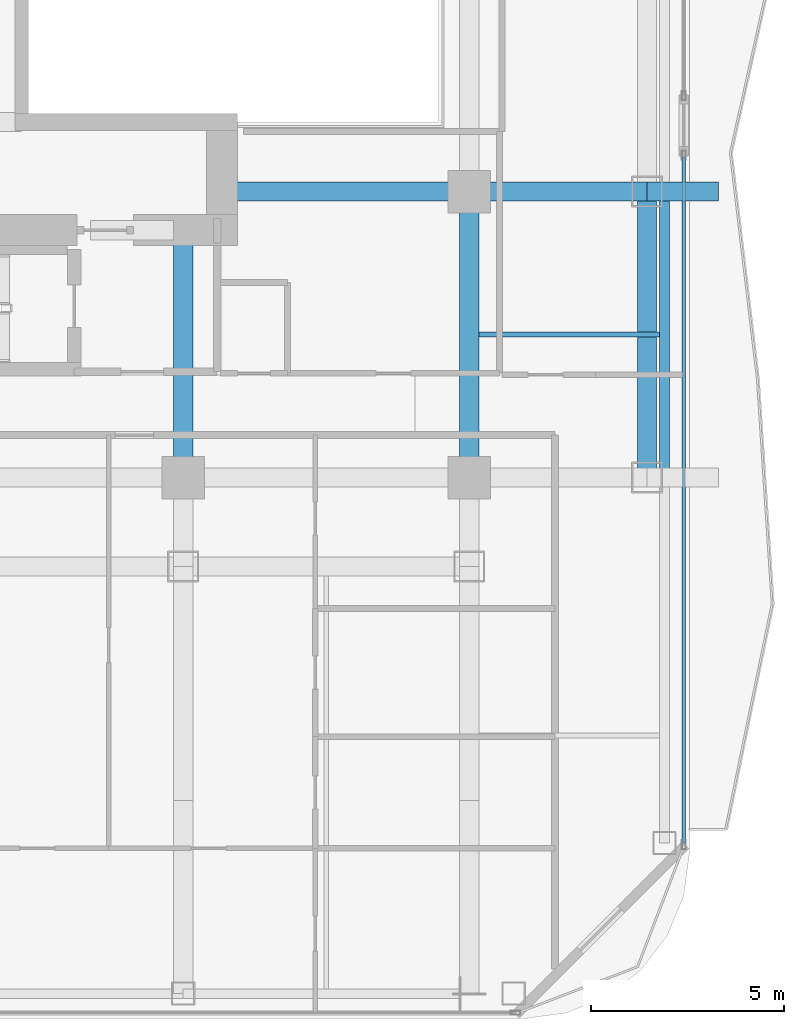
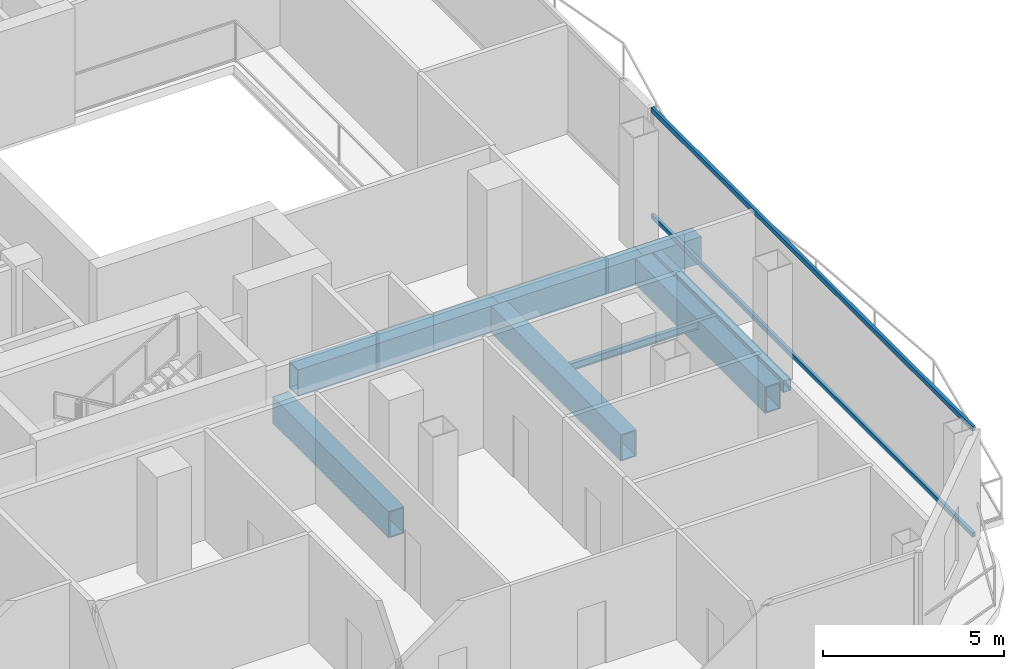
# One storey, part 8 of 24: 8 beams, 2 members, 1 element without a shape of its own.
"""IFC4 building model written with IfcOpenShell, lengths in metres."""

from ifc_helpers import new_model, si_unit, direction, frame, origin, origin_2d, place, context, subcontext, project, spatial, hollow_rectangle, i_section, extrude, material, layer, layer_set, material_profile, profile_set, type_object, element, aggregate, save


model = new_model("IFC4")

# Units and contexts
model_context = context("Model", 3, precision=1e-05, world=origin(), true_north=direction((0.0, 1.0)))
body_context = subcontext(model_context, "Body", "Model", "MODEL_VIEW")
ifc_project = project(units=[si_unit("LENGTHUNIT", "METRE"), si_unit("AREAUNIT", "SQUARE_METRE"), si_unit("VOLUMEUNIT", "CUBIC_METRE"), si_unit("PLANEANGLEUNIT", "RADIAN"), si_unit("MASSUNIT", "GRAM", prefix="KILO")], contexts=[model_context])

# Site, building, storey
site_placement = place(None, origin())
site = spatial("IfcSite", under=ifc_project, at=site_placement, CompositionType="ELEMENT")
building_placement = place(site_placement, origin())
building = spatial("IfcBuilding", under=site, at=building_placement, Name="Khorvyn Point Tower", CompositionType="ELEMENT")
storey_placement = place(building_placement, frame((0.0, 0.0, 191.39990234375)))
storey = spatial("IfcBuildingStorey", under=building, at=storey_placement, Name="L47", CompositionType="ELEMENT", Elevation=191.39990234375)

# Curtain wall, members
ifc_material_1 = material(Name="Anodised aluminium 6063-T6 and laminated Low-E glass", Category="aluminium")
ifc_layer = layer(ifc_material_1, 0.18994140625)
ifc_layer_set = layer_set([ifc_layer], Name="Stick-Built Acoustic Curtain Wall CW-SYS-03")
curtain_wall_type = type_object("IfcCurtainWallType", Name="Stick-Built Acoustic Curtain Wall CW-SYS-03", PredefinedType="NOTDEFINED", material=ifc_layer_set)
curtain_wall_placement = place(storey_placement, origin())
curtain_wall = element("IfcCurtainWall", 1, at=curtain_wall_placement, inside=storey, type_object=curtain_wall_type, Name="Curtain Wall", PredefinedType="NOTDEFINED")
ifc_material_2 = material(Name="Anodised aluminium 6063-T6", Category="aluminium")
ifc_material_profile_1 = material_profile(ifc_material_2, hollow_rectangle(XDim=0.10009765625, YDim=0.159912109375, WallThickness=0.00439453125, at=origin_2d()))
ifc_profile_set_1 = profile_set([ifc_material_profile_1], Name="Anodised aluminium 6063-T6 ALU-TRN-100x160")
member_type = type_object("IfcMemberType", Name="Anodised Aluminium 6063-T6 Transom ALU-TRN-100x160", PredefinedType="USERDEFINED", material=ifc_profile_set_1)
member_1_placement = place(storey_placement, frame((20.35009765625, -6.510009765625, 0.050048828125), z_axis=(0.0, -1.0, 0.0), x_axis=(1.0, 0.0, 0.0)))
member_1 = element("IfcMember", 2, at=member_1_placement, type_object=member_type, Name="Transom", ObjectType="TRANSOM", PredefinedType="USERDEFINED", context=body_context, shape_type="SweptSolid", body=[
    extrude(hollow_rectangle(XDim=0.10009765625, YDim=0.159912109375, WallThickness=0.00439453125, at=origin_2d()), origin(), (0.0, 0.0, 1.0), 17.739990234375),
])
member_2_placement = place(storey_placement, frame((20.35009765625, -6.510009765625, 3.630126953125), z_axis=(0.0, -1.0, 0.0), x_axis=(1.0, 0.0, 0.0)))
member_2 = element("IfcMember", 3, at=member_2_placement, type_object=member_type, Name="Transom", ObjectType="TRANSOM", PredefinedType="USERDEFINED", context=body_context, shape_type="SweptSolid", body=[
    extrude(hollow_rectangle(XDim=0.10009765625, YDim=0.159912109375, WallThickness=0.00439453125, at=origin_2d()), origin(), (0.0, 0.0, 1.0), 17.739990234375),
])
aggregate(curtain_wall, [member_1, member_2])

# Beams
ifc_material_3 = material(Name="Steel S355", Category="steel")
ifc_material_profile_2 = material_profile(ifc_material_3, i_section(OverallWidth=0.125, OverallDepth=0.25, WebThickness=0.006103515625, FlangeThickness=0.009033203125, at=origin_2d()))
ifc_profile_set_2 = profile_set([ifc_material_profile_2], Name="Steel S355 H250x125x6x9")
beam_type_1 = type_object("IfcBeamType", Name="Steel S355 Joist H250x125x6x9", PredefinedType="JOIST", material=ifc_profile_set_2)
beam_1_placement = place(storey_placement, frame((15.050048828125, -11.10009765625, -0.40478515625), z_axis=(1.0, 0.0, 0.0), x_axis=(0.0, 1.0, 0.0)))
element("IfcBeam", 4, at=beam_1_placement, inside=storey, type_object=beam_type_1, Name="Beam", PredefinedType="JOIST", context=body_context, shape_type="SweptSolid", body=[
    extrude(i_section(OverallWidth=0.125, OverallDepth=0.25, WebThickness=0.006103515625, FlangeThickness=0.009033203125, at=origin_2d()), origin(), (0.0, 0.0, 1.0), 4.675048828125),
])
ifc_material_profile_3 = material_profile(ifc_material_3, hollow_rectangle(XDim=0.25, YDim=0.39990234375, WallThickness=0.01611328125, at=origin_2d()))
ifc_profile_set_3 = profile_set([ifc_material_profile_3], Name="Steel S355 RHS400x250x16")
beam_type_2 = type_object("IfcBeamType", Name="Steel S355 Spandrel RHS400x250x16", PredefinedType="SPANDREL", material=ifc_profile_set_3)
beam_2_placement = place(storey_placement, frame((19.85009765625, -14.800048828125, -0.47998046875), z_axis=(0.0, 1.0, 0.0), x_axis=(-1.0, 0.0, 0.0)))
element("IfcBeam", 5, at=beam_2_placement, inside=storey, type_object=beam_type_2, Name="Beam", PredefinedType="SPANDREL", context=body_context, shape_type="SweptSolid", body=[
    extrude(hollow_rectangle(XDim=0.25, YDim=0.39990234375, WallThickness=0.01611328125, at=origin_2d()), origin(), (0.0, 0.0, 1.0), 7.400146484375),
])
ifc_material_4 = material(Name="Steel S450", Category="steel")
ifc_material_profile_4 = material_profile(ifc_material_4, hollow_rectangle(XDim=0.5, YDim=0.89990234375, WallThickness=0.0400390625, at=origin_2d()))
ifc_profile_set_4 = profile_set([ifc_material_profile_4], Name="Steel S450 BOX900x500x40")
beam_type_3 = type_object("IfcBeamType", Name="Steel S450 Beam BOX900x500x40", PredefinedType="BEAM", material=ifc_profile_set_4)
beam_3_placement = place(storey_placement, frame((8.39990234375, -7.39990234375, -0.72998046875), z_axis=(1.0, 0.0, 0.0), x_axis=(0.0, 1.0, 0.0)))
element("IfcBeam", 6, at=beam_3_placement, inside=storey, type_object=beam_type_3, Name="Beam", PredefinedType="BEAM", context=body_context, shape_type="SweptSolid", body=[
    extrude(hollow_rectangle(XDim=0.5, YDim=0.89990234375, WallThickness=0.0400390625, at=origin_2d()), origin(), (0.0, 0.0, 1.0), 6.400146484375),
])
beam_4_placement = place(storey_placement, frame((14.800048828125, -7.39990234375, -0.72998046875), z_axis=(1.0, 0.0, 0.0), x_axis=(0.0, 1.0, 0.0)))
element("IfcBeam", 7, at=beam_4_placement, inside=storey, type_object=beam_type_3, Name="Beam", PredefinedType="BEAM", context=body_context, shape_type="SweptSolid", body=[
    extrude(hollow_rectangle(XDim=0.5, YDim=0.89990234375, WallThickness=0.0400390625, at=origin_2d()), origin(), (0.0, 0.0, 1.0), 4.599853515625),
])
beam_5_placement = place(storey_placement, frame((19.39990234375, -7.39990234375, -0.72998046875), z_axis=(1.0, 0.0, 0.0), x_axis=(0.0, 1.0, 0.0)))
element("IfcBeam", 8, at=beam_5_placement, inside=storey, type_object=beam_type_3, Name="Beam", PredefinedType="BEAM", context=body_context, shape_type="SweptSolid", body=[
    extrude(hollow_rectangle(XDim=0.5, YDim=0.89990234375, WallThickness=0.0400390625, at=origin_2d()), origin(), (0.0, 0.0, 1.0), 1.85009765625),
])
beam_6_placement = place(storey_placement, frame((14.800048828125, -14.800048828125, -0.72998046875), z_axis=(0.0, 1.0, 0.0), x_axis=(-1.0, 0.0, 0.0)))
element("IfcBeam", 9, at=beam_6_placement, inside=storey, type_object=beam_type_3, Name="L47 Radial Transfer Girder", PredefinedType="BEAM", context=body_context, shape_type="SweptSolid", body=[
    extrude(hollow_rectangle(XDim=0.5, YDim=0.89990234375, WallThickness=0.0400390625, at=origin_2d()), origin(), (0.0, 0.0, 1.0), 7.400146484375),
])
beam_7_placement = place(storey_placement, frame((7.39990234375, -14.800048828125, -0.72998046875), z_axis=(0.0, 1.0, 0.0), x_axis=(-1.0, 0.0, 0.0)))
element("IfcBeam", 10, at=beam_7_placement, inside=storey, type_object=beam_type_3, Name="Beam", PredefinedType="BEAM", context=body_context, shape_type="SweptSolid", body=[
    extrude(hollow_rectangle(XDim=0.5, YDim=0.89990234375, WallThickness=0.0400390625, at=origin_2d()), origin(), (0.0, 0.0, 1.0), 6.400146484375),
])
beam_8_placement = place(storey_placement, frame((19.39990234375, -14.800048828125, -0.72998046875), z_axis=(0.0, 1.0, 0.0), x_axis=(-1.0, 0.0, 0.0)))
element("IfcBeam", 11, at=beam_8_placement, inside=storey, type_object=beam_type_3, Name="Beam", PredefinedType="BEAM", context=body_context, shape_type="SweptSolid", body=[
    extrude(hollow_rectangle(XDim=0.5, YDim=0.89990234375, WallThickness=0.0400390625, at=origin_2d()), origin(), (0.0, 0.0, 1.0), 7.400146484375),
])

save(model, "model.ifc")
